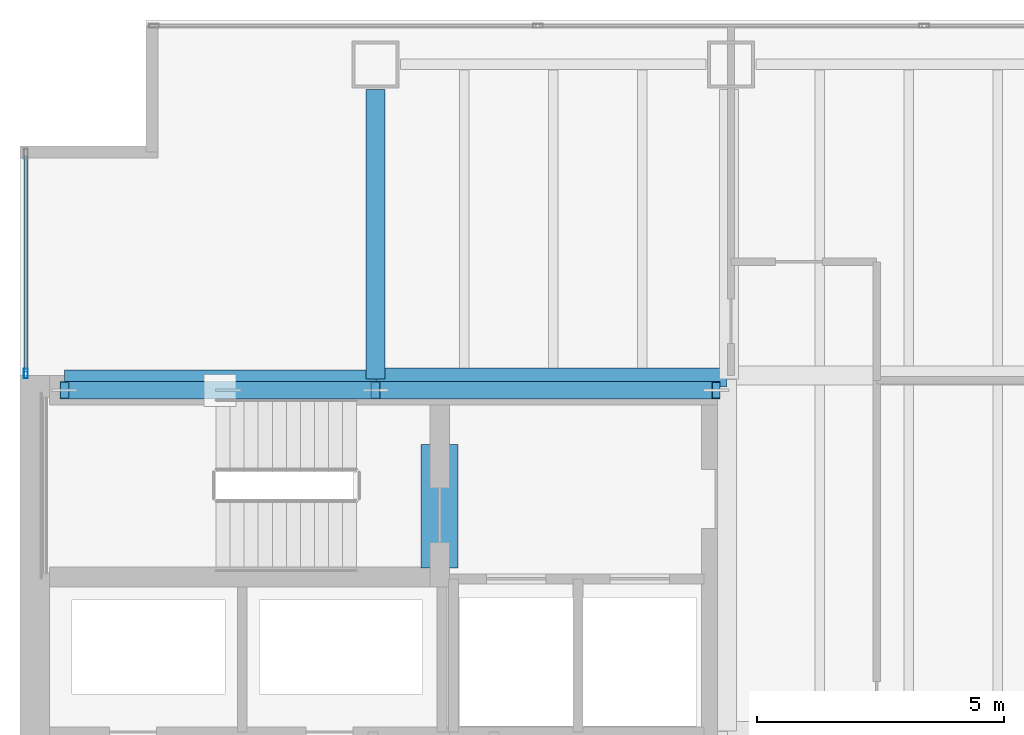
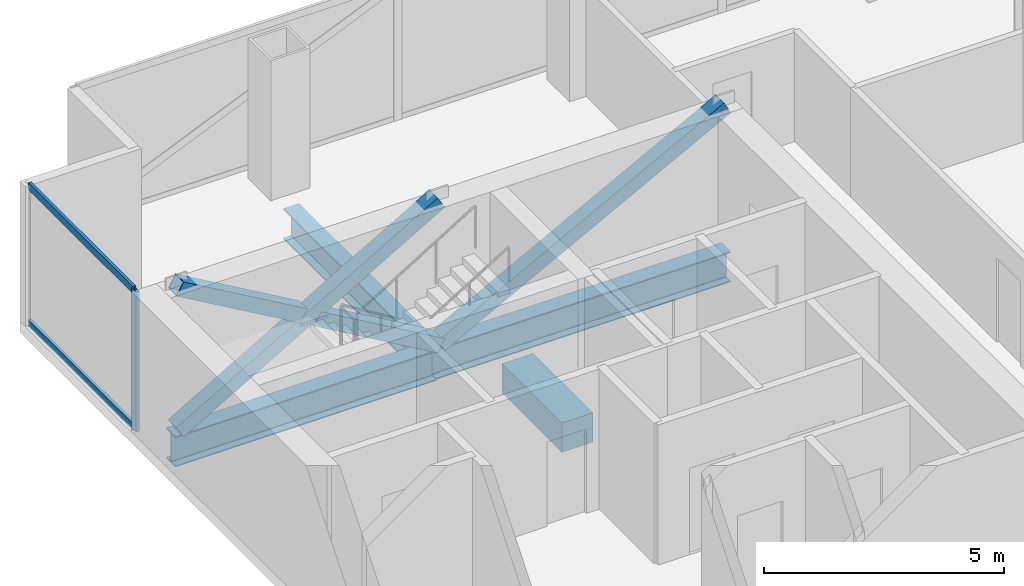
# One storey, part 14 of 24: 7 members, 4 beams, 1 element without a shape of its own.
"""IFC4 building model written with IfcOpenShell, lengths in metres."""

from ifc_helpers import new_model, si_unit, direction, frame, origin, origin_2d, place, context, subcontext, project, spatial, rectangle, hollow_rectangle, i_section, extrude, material, material_profile, profile_set, type_object, element, aggregate, save


model = new_model("IFC4")

# Units and contexts
model_context = context("Model", 3, precision=1e-05, world=origin(), true_north=direction((0.0, 1.0)))
body_context = subcontext(model_context, "Body", "Model", "MODEL_VIEW")
ifc_project = project(units=[si_unit("LENGTHUNIT", "METRE"), si_unit("AREAUNIT", "SQUARE_METRE"), si_unit("VOLUMEUNIT", "CUBIC_METRE"), si_unit("PLANEANGLEUNIT", "RADIAN"), si_unit("MASSUNIT", "GRAM", prefix="KILO")], contexts=[model_context])

# Site, building, storey
site_placement = place(None, origin())
site = spatial("IfcSite", under=ifc_project, at=site_placement, CompositionType="ELEMENT")
building_placement = place(site_placement, origin())
building = spatial("IfcBuilding", under=site, at=building_placement, Name="Cobrela Telecom Tower", CompositionType="ELEMENT")
storey_placement = place(building_placement, frame((0.0, 0.0, 77.35009765625)))
storey = spatial("IfcBuildingStorey", under=building, at=storey_placement, Name="L19", CompositionType="ELEMENT", Elevation=77.35009765625)

# Beams
ifc_material_1 = material(Name="Concrete C40/50", Category="concrete")
ifc_material_profile_1 = material_profile(ifc_material_1, rectangle(XDim=0.75, YDim=0.75, at=origin_2d()), Name="RC 750x750")
ifc_profile_set_1 = profile_set([ifc_material_profile_1], Name="Concrete C40/50")
beam_type_1 = type_object("IfcBeamType", Name="BM-COUP-RC", PredefinedType="LINTEL", material=ifc_profile_set_1)
beam_1_placement = place(storey_placement, frame((8.5, 32.10009765625, -0.630126953125), z_axis=(0.0, 1.0, 0.0), x_axis=(-1.0, 0.0, 0.0)))
element("IfcBeam", 1, at=beam_1_placement, inside=storey, type_object=beam_type_1, Name="L19 Core Coupling Lintel Beam", PredefinedType="LINTEL", context=body_context, shape_type="SweptSolid", body=[
    extrude(rectangle(XDim=0.75, YDim=0.75, at=origin_2d()), origin(), (0.0, 0.0, 1.0), 2.5),
])
ifc_material_2 = material(Name="Steel ASTM A992 Grade 50", Category="steel")
ifc_material_profile_2 = material_profile(ifc_material_2, i_section(OverallWidth=0.381103515625, OverallDepth=0.77197265625, WebThickness=0.0166015625, FlangeThickness=0.027099609375, FilletRadius=0.01904296875, at=origin_2d()), Name="W30X173")
ifc_profile_set_2 = profile_set([ifc_material_profile_2], Name="Steel ASTM A992 Grade 50")
beam_type_2 = type_object("IfcBeamType", Name="BM-GIRD-04", PredefinedType="USERDEFINED", material=ifc_profile_set_2)
beam_2_placement = place(storey_placement, frame((0.905029296875, 35.919921875, -0.666015625), z_axis=(1.0, 0.0, 0.0), x_axis=(0.0, 1.0, 0.0)))
element("IfcBeam", 2, at=beam_2_placement, inside=storey, type_object=beam_type_2, Name="L19 Primary Girder X25", ObjectType="GIRDER", PredefinedType="USERDEFINED", context=body_context, shape_type="SweptSolid", body=[
    extrude(i_section(OverallWidth=0.381103515625, OverallDepth=0.77197265625, WebThickness=0.0166015625, FlangeThickness=0.027099609375, FilletRadius=0.01904296875, at=origin_2d()), origin(), (0.0, 0.0, 1.0), 6.2900390625),
])
beam_3_placement = place(storey_placement, frame((7.205078125, 35.9599609375, -0.666015625), z_axis=(1.0, 0.0, 0.0), x_axis=(0.0, 1.0, 0.0)))
element("IfcBeam", 3, at=beam_3_placement, inside=storey, type_object=beam_type_2, Name="L19 Primary Girder X26", ObjectType="GIRDER", PredefinedType="USERDEFINED", context=body_context, shape_type="SweptSolid", body=[
    extrude(i_section(OverallWidth=0.381103515625, OverallDepth=0.77197265625, WebThickness=0.0166015625, FlangeThickness=0.027099609375, FilletRadius=0.01904296875, at=origin_2d()), origin(), (0.0, 0.0, 1.0), 7.10986328125),
])
beam_4_placement = place(storey_placement, frame((7.199951171875, 35.925048828125, -0.666015625), z_axis=(0.0, 1.0, 0.0), x_axis=(-1.0, 0.0, 0.0)))
element("IfcBeam", 4, at=beam_4_placement, inside=storey, type_object=beam_type_2, Name="L19 Primary Girder Y33", ObjectType="GIRDER", PredefinedType="USERDEFINED", context=body_context, shape_type="SweptSolid", body=[
    extrude(i_section(OverallWidth=0.381103515625, OverallDepth=0.77197265625, WebThickness=0.0166015625, FlangeThickness=0.027099609375, FilletRadius=0.01904296875, at=origin_2d()), origin(), (0.0, 0.0, 1.0), 5.869873046875),
])

# Curtain wall, members
ifc_material_3 = material(Name="Anodized Bronze Aluminium 6063-T6", Category="aluminium")
curtain_wall_type = type_object("IfcCurtainWallType", Name="CW-SYS-DATA", PredefinedType="USERDEFINED", material=ifc_material_3)
curtain_wall_placement = place(storey_placement, origin())
curtain_wall = element("IfcCurtainWall", 5, at=curtain_wall_placement, inside=storey, type_object=curtain_wall_type, Name="L19 Unitised Bronze Curtain Wall 04", ObjectType="UNITISED CURTAIN WALL", PredefinedType="USERDEFINED")
ifc_material_profile_3 = material_profile(ifc_material_3, hollow_rectangle(XDim=0.080078125, YDim=0.199951171875, WallThickness=0.00390625, at=origin_2d()), Name="ALU 80x200x4")
ifc_profile_set_3 = profile_set([ifc_material_profile_3], Name="Anodized Bronze Aluminium 6063-T6")
member_type_1 = type_object("IfcMemberType", Name="CW-SYS-DATA-MUL", PredefinedType="MULLION", material=ifc_profile_set_3)
member_1_placement = place(storey_placement, frame((0.1201171875, 36.0400390625, 0.0), z_axis=(0.0, 0.0, 1.0), x_axis=(-1.0, 0.0, 0.0)))
member_1 = element("IfcMember", 6, at=member_1_placement, type_object=member_type_1, Name="CW-DATA mullion 1", PredefinedType="MULLION", context=body_context, shape_type="SweptSolid", body=[
    extrude(hollow_rectangle(XDim=0.080078125, YDim=0.199951171875, WallThickness=0.00390625, at=origin_2d()), origin(), (0.0, 0.0, 1.0), 3.56982421875),
])
ifc_material_profile_4 = material_profile(ifc_material_3, hollow_rectangle(XDim=0.074951171875, YDim=0.179931640625, WallThickness=0.00390625, at=origin_2d()), Name="ALU 75x180x4")
ifc_profile_set_4 = profile_set([ifc_material_profile_4], Name="Anodized Bronze Aluminium 6063-T6")
member_type_2 = type_object("IfcMemberType", Name="CW-SYS-DATA-TRN", PredefinedType="USERDEFINED", material=ifc_profile_set_4)
member_2_placement = place(storey_placement, frame((0.1201171875, 36.080078125, 0.037353515625), z_axis=(0.0, 1.0, 0.0), x_axis=(-1.0, 0.0, 0.0)))
member_2 = element("IfcMember", 7, at=member_2_placement, type_object=member_type_2, Name="CW-DATA transom 1.1", ObjectType="TRANSOM", PredefinedType="USERDEFINED", context=body_context, shape_type="SweptSolid", body=[
    extrude(hollow_rectangle(XDim=0.074951171875, YDim=0.179931640625, WallThickness=0.00390625, at=origin_2d()), origin(), (0.0, 0.0, 1.0), 4.369873046875),
])
member_3_placement = place(storey_placement, frame((0.1201171875, 36.080078125, 3.532470703125), z_axis=(0.0, 1.0, 0.0), x_axis=(-1.0, 0.0, 0.0)))
member_3 = element("IfcMember", 8, at=member_3_placement, type_object=member_type_2, Name="CW-DATA transom 1.2", ObjectType="TRANSOM", PredefinedType="USERDEFINED", context=body_context, shape_type="SweptSolid", body=[
    extrude(hollow_rectangle(XDim=0.074951171875, YDim=0.179931640625, WallThickness=0.00390625, at=origin_2d()), origin(), (0.0, 0.0, 1.0), 4.369873046875),
])
aggregate(curtain_wall, [member_1, member_2, member_3])

# Members
ifc_material_4 = material(Name="Steel ASTM A572 Grade 50", Category="steel")
ifc_material_profile_5 = material_profile(ifc_material_4, hollow_rectangle(XDim=0.35009765625, YDim=0.35009765625, WallThickness=0.01611328125, at=origin_2d()), Name="HSS 350x350x16")
ifc_profile_set_5 = profile_set([ifc_material_profile_5], Name="Steel ASTM A572 Grade 50")
member_type_3 = type_object("IfcMemberType", Name="MBR-EXO-02", PredefinedType="BRACE", material=ifc_profile_set_5)
member_4_placement = place(storey_placement, frame((0.89990234375, 35.699951171875, -0.0400390625), z_axis=(0.865277025542, 0.0, 0.501293994647), x_axis=(0.0, 1.0, 0.0)))
element("IfcMember", 9, at=member_4_placement, inside=storey, type_object=member_type_3, Name="L19 Core Flange Steel X-Brace Continuous A", PredefinedType="BRACE", context=body_context, shape_type="SweptSolid", body=[
    extrude(hollow_rectangle(XDim=0.35009765625, YDim=0.35009765625, WallThickness=0.01611328125, at=origin_2d()), origin(), (0.0, 0.0, 1.0), 7.281005859375),
])
for number, where, z_axis, x_axis, name in (
    (10, (7.199951171875, 35.699951171875, -0.0400390625), (-0.865296850073, 0.0, 0.501259774223), (0.0, -1.0, 0.0), "L19 Core Flange Steel X-Brace Split B1"),
    (11, (3.88037109375, 35.699951171875, 1.88330078125), (-0.865296850073, 0.0, 0.501259774223), (0.0, -1.0, 0.0), "L19 Core Flange Steel X-Brace Split B2"),
):
    element("IfcMember", number, at=place(storey_placement, frame(where, z_axis=z_axis, x_axis=x_axis)), inside=storey, type_object=member_type_3, Name=name, PredefinedType="BRACE", context=body_context, shape_type="SweptSolid", body=[
        extrude(hollow_rectangle(XDim=0.35009765625, YDim=0.35009765625, WallThickness=0.01611328125, at=origin_2d()), origin(), (0.0, 0.0, 1.0), 3.4443359375),
    ])
member_5_placement = place(storey_placement, frame((7.199951171875, 35.699951171875, -0.0400390625), z_axis=(0.883952947778, 0.0, 0.467575861348), x_axis=(0.0, 1.0, 0.0)))
element("IfcMember", 12, at=member_5_placement, inside=storey, type_object=member_type_3, Name="L19 Core Flange Steel Brace N2", PredefinedType="BRACE", context=body_context, shape_type="SweptSolid", body=[
    extrude(hollow_rectangle(XDim=0.35009765625, YDim=0.35009765625, WallThickness=0.01611328125, at=origin_2d()), origin(), (0.0, 0.0, 1.0), 7.805908203125),
])

save(model, "model.ifc")
